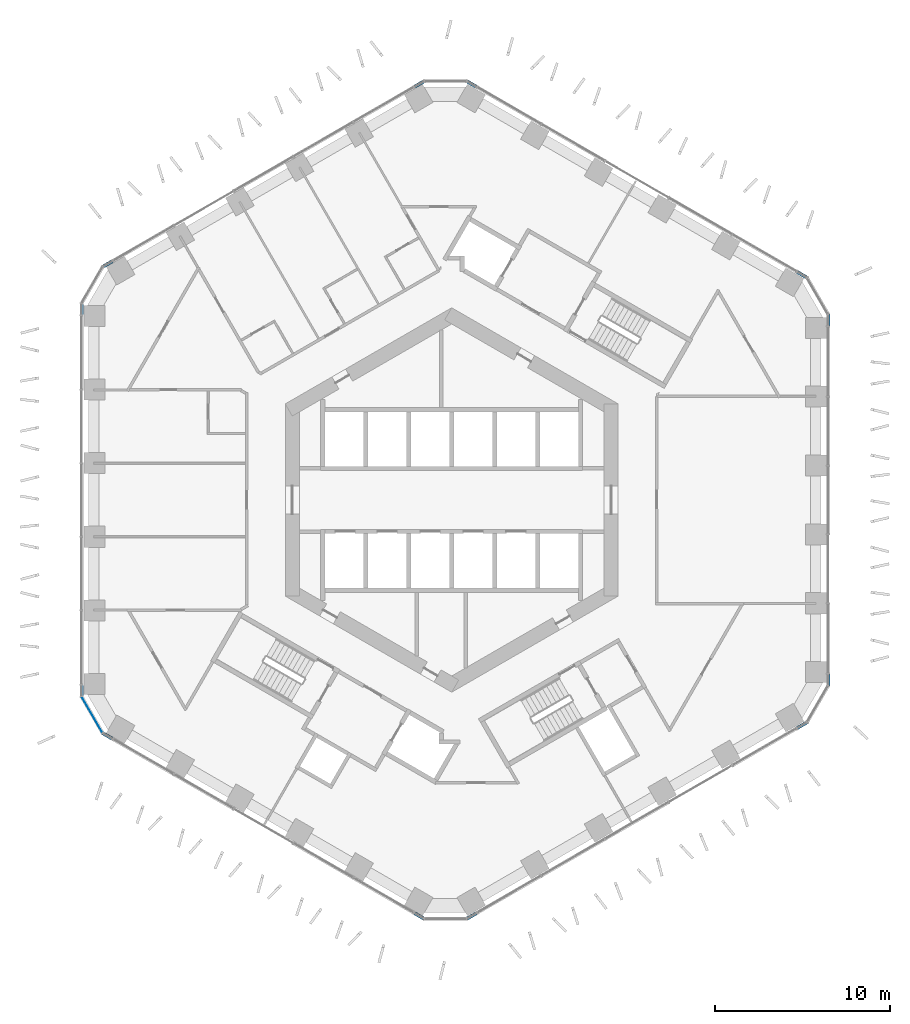
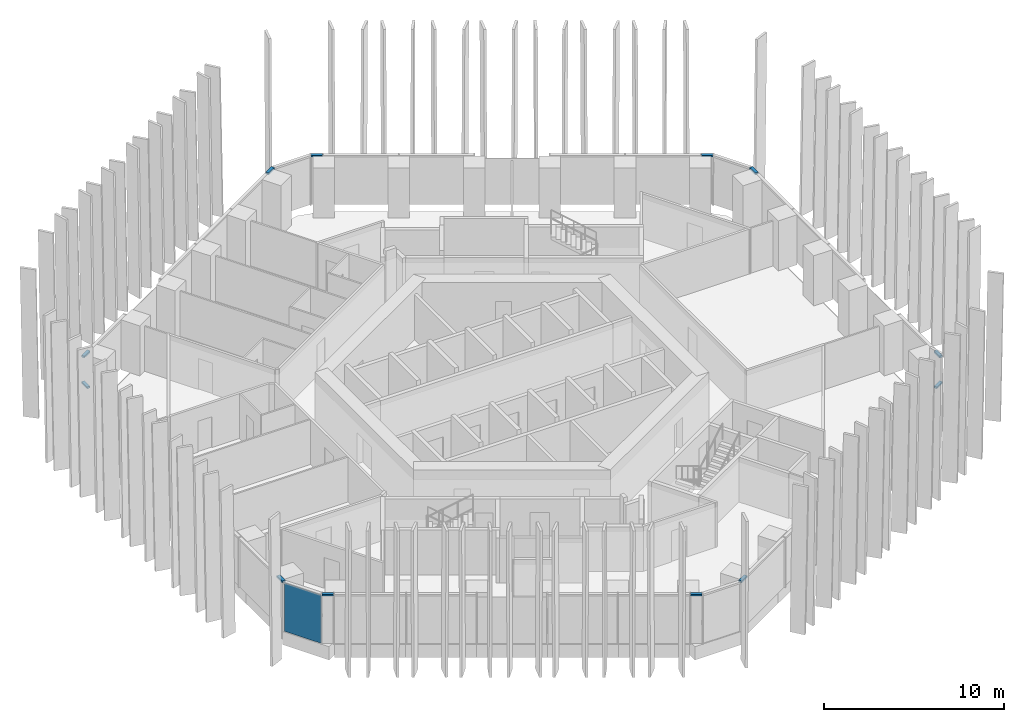
# One storey, part 8 of 19: 12 members, 1 plate, 6 elements without a shape of their own.
"""IFC4 building model written with IfcOpenShell, lengths in metres."""

from ifc_helpers import new_model, si_unit, direction, frame, origin, origin_2d, place, context, subcontext, project, spatial, rectangle, extrude, material, layer, layer_set, material_profile, profile_set, type_object, element, aggregate, save


model = new_model("IFC4")

# Units and contexts
model_context = context("Model", 3, precision=1e-05, world=origin(), true_north=direction((0.0, 1.0)))
body_context = subcontext(model_context, "Body", "Model", "MODEL_VIEW")
ifc_project = project(units=[si_unit("LENGTHUNIT", "METRE"), si_unit("AREAUNIT", "SQUARE_METRE"), si_unit("VOLUMEUNIT", "CUBIC_METRE"), si_unit("PLANEANGLEUNIT", "RADIAN"), si_unit("MASSUNIT", "GRAM", prefix="KILO")], contexts=[model_context])

# Site, building, storey
site_placement = place(None, origin())
site = spatial("IfcSite", under=ifc_project, at=site_placement, CompositionType="ELEMENT")
building_placement = place(site_placement, origin())
building = spatial("IfcBuilding", under=site, at=building_placement, Name="Ayvan Gate Tower", CompositionType="ELEMENT")
storey_placement = place(building_placement, frame((0.0, 0.0, 45.89990234375)))
storey = spatial("IfcBuildingStorey", under=building, at=storey_placement, Name="L11", CompositionType="ELEMENT", Elevation=45.89990234375)

# Curtain wall, members
ifc_material_1 = material(Name="Bronze anodised aluminium", Category="aluminium")
ifc_layer_1 = layer(ifc_material_1, 0.199951171875)
ifc_layer_set_1 = layer_set([ifc_layer_1], Name="Bronze anodised aluminium")
curtain_wall_type = type_object("IfcCurtainWallType", Name="Stick curtain wall CW-6", PredefinedType="NOTDEFINED", material=ifc_layer_set_1)
curtain_wall_1_placement = place(storey_placement, origin())
curtain_wall_1 = element("IfcCurtainWall", 1, at=curtain_wall_1_placement, inside=storey, type_object=curtain_wall_type, Name="Stick curtain wall CW-6 L11", PredefinedType="NOTDEFINED")
ifc_material_profile = material_profile(ifc_material_1, rectangle(XDim=0.199951171875, YDim=0.1201171875, at=origin_2d()), Name="Stick curtain wall CW-6 transom 200 x 120")
ifc_profile_set = profile_set([ifc_material_profile], Name="Bronze anodised aluminium")
member_type = type_object("IfcMemberType", Name="Stick curtain wall CW-6 transom 200 x 120", PredefinedType="USERDEFINED", material=ifc_profile_set)
member_1_placement = place(storey_placement, frame((-19.3583984375, 13.6318359375, 3.340087890625), z_axis=(-0.866022959057, -0.500004234368, 0.0), x_axis=(0.500004234368, -0.866022959057, 0.0)))
member_1 = element("IfcMember", 2, at=member_1_placement, type_object=member_type, Name="CW-6 transom 1", ObjectType="TRANSOM", PredefinedType="USERDEFINED", context=body_context, shape_type="SweptSolid", body=[
    extrude(rectangle(XDim=0.199951171875, YDim=0.1201171875, at=origin_2d()), origin(), (0.0, 0.0, 1.0), 0.625),
])
member_2_placement = place(storey_placement, frame((-21.12841796875, 11.190673828125, 3.340087890625), z_axis=(0.0, -1.0, 0.0), x_axis=(1.0, 0.0, 0.0)))
member_2 = element("IfcMember", 3, at=member_2_placement, type_object=member_type, Name="CW-6 transom 3", ObjectType="TRANSOM", PredefinedType="USERDEFINED", context=body_context, shape_type="SweptSolid", body=[
    extrude(rectangle(XDim=0.199951171875, YDim=0.1201171875, at=origin_2d()), origin(), (0.0, 0.0, 1.0), 0.625),
])
aggregate(curtain_wall_1, [member_1, member_2])

curtain_wall_2_placement = place(storey_placement, origin())
curtain_wall_2 = element("IfcCurtainWall", 4, at=curtain_wall_2_placement, inside=storey, type_object=curtain_wall_type, Name="Stick curtain wall CW-6 L11", PredefinedType="NOTDEFINED")
member_3_placement = place(storey_placement, frame((-21.12841796875, -10.565673828125, 3.340087890625), z_axis=(0.0, -1.0, 0.0), x_axis=(1.0, 0.0, 0.0)))
member_3 = element("IfcMember", 5, at=member_3_placement, type_object=member_type, Name="CW-6 transom 1", ObjectType="TRANSOM", PredefinedType="USERDEFINED", context=body_context, shape_type="SweptSolid", body=[
    extrude(rectangle(XDim=0.199951171875, YDim=0.1201171875, at=origin_2d()), origin(), (0.0, 0.0, 1.0), 0.625),
])
member_4_placement = place(storey_placement, frame((-19.899658203125, -13.3193359375, 3.340087890625), z_axis=(0.866022959057, -0.500004234368, 0.0), x_axis=(0.500004234368, 0.866022959057, 0.0)))
member_4 = element("IfcMember", 6, at=member_4_placement, type_object=member_type, Name="CW-6 transom 3", ObjectType="TRANSOM", PredefinedType="USERDEFINED", context=body_context, shape_type="SweptSolid", body=[
    extrude(rectangle(XDim=0.199951171875, YDim=0.1201171875, at=origin_2d()), origin(), (0.0, 0.0, 1.0), 0.625),
])

curtain_wall_3_placement = place(storey_placement, origin())
curtain_wall_3 = element("IfcCurtainWall", 7, at=curtain_wall_3_placement, inside=storey, type_object=curtain_wall_type, Name="Stick curtain wall CW-6 L11", PredefinedType="NOTDEFINED")
member_5_placement = place(storey_placement, frame((-2.126220703125, -23.58056640625, 3.340087890625), z_axis=(0.866022959057, -0.500004234368, 0.0), x_axis=(0.500004234368, 0.866022959057, 0.0)))
member_5 = element("IfcMember", 8, at=member_5_placement, type_object=member_type, Name="CW-6 transom 1", ObjectType="TRANSOM", PredefinedType="USERDEFINED", context=body_context, shape_type="SweptSolid", body=[
    extrude(rectangle(XDim=0.199951171875, YDim=0.1201171875, at=origin_2d()), origin(), (0.0, 0.0, 1.0), 0.625),
])
member_6_placement = place(storey_placement, frame((0.872802734375, -23.89306640625, 3.340087890625), z_axis=(0.866022959057, 0.500004234368, 0.0), x_axis=(-0.500004234368, 0.866022959057, 0.0)))
member_6 = element("IfcMember", 9, at=member_6_placement, type_object=member_type, Name="CW-6 transom 3", ObjectType="TRANSOM", PredefinedType="USERDEFINED", context=body_context, shape_type="SweptSolid", body=[
    extrude(rectangle(XDim=0.199951171875, YDim=0.1201171875, at=origin_2d()), origin(), (0.0, 0.0, 1.0), 0.625),
])
aggregate(curtain_wall_3, [member_5, member_6])

curtain_wall_4_placement = place(storey_placement, origin())
curtain_wall_4 = element("IfcCurtainWall", 10, at=curtain_wall_4_placement, inside=storey, type_object=curtain_wall_type, Name="Stick curtain wall CW-6 L11", PredefinedType="NOTDEFINED")
member_7_placement = place(storey_placement, frame((19.71435546875, -13.014892578125, 3.340087890625), z_axis=(0.866022959057, 0.500004234368, 0.0), x_axis=(-0.500004234368, 0.866022959057, 0.0)))
member_7 = element("IfcMember", 11, at=member_7_placement, type_object=member_type, Name="CW-6 transom 1", ObjectType="TRANSOM", PredefinedType="USERDEFINED", context=body_context, shape_type="SweptSolid", body=[
    extrude(rectangle(XDim=0.199951171875, YDim=0.1201171875, at=origin_2d()), origin(), (0.0, 0.0, 1.0), 0.625),
])
member_8_placement = place(storey_placement, frame((21.484619140625, -10.573974609375, 3.340087890625), z_axis=(0.0, 1.0, 0.0), x_axis=(-1.0, 0.0, 0.0)))
member_8 = element("IfcMember", 12, at=member_8_placement, type_object=member_type, Name="CW-6 transom 3", ObjectType="TRANSOM", PredefinedType="USERDEFINED", context=body_context, shape_type="SweptSolid", body=[
    extrude(rectangle(XDim=0.199951171875, YDim=0.1201171875, at=origin_2d()), origin(), (0.0, 0.0, 1.0), 0.625),
])
aggregate(curtain_wall_4, [member_7, member_8])

curtain_wall_5_placement = place(storey_placement, origin())
curtain_wall_5 = element("IfcCurtainWall", 13, at=curtain_wall_5_placement, inside=storey, type_object=curtain_wall_type, Name="Stick curtain wall CW-6 L11", PredefinedType="NOTDEFINED")
member_9_placement = place(storey_placement, frame((21.484619140625, 9.948974609375, 3.340087890625), z_axis=(0.0, 1.0, 0.0), x_axis=(-1.0, 0.0, 0.0)))
member_9 = element("IfcMember", 14, at=member_9_placement, type_object=member_type, Name="CW-6 transom 1", ObjectType="TRANSOM", PredefinedType="USERDEFINED", context=body_context, shape_type="SweptSolid", body=[
    extrude(rectangle(XDim=0.199951171875, YDim=0.1201171875, at=origin_2d()), origin(), (0.0, 0.0, 1.0), 0.625),
])
member_10_placement = place(storey_placement, frame((20.255615234375, 12.702392578125, 3.340087890625), z_axis=(-0.866022959057, 0.500004234368, 0.0), x_axis=(-0.500004234368, -0.866022959057, 0.0)))
member_10 = element("IfcMember", 15, at=member_10_placement, type_object=member_type, Name="CW-6 transom 3", ObjectType="TRANSOM", PredefinedType="USERDEFINED", context=body_context, shape_type="SweptSolid", body=[
    extrude(rectangle(XDim=0.199951171875, YDim=0.1201171875, at=origin_2d()), origin(), (0.0, 0.0, 1.0), 0.625),
])
aggregate(curtain_wall_5, [member_9, member_10])

curtain_wall_6_placement = place(storey_placement, origin())
curtain_wall_6 = element("IfcCurtainWall", 16, at=curtain_wall_6_placement, inside=storey, type_object=curtain_wall_type, Name="Stick curtain wall CW-6 L11", PredefinedType="NOTDEFINED")
member_11_placement = place(storey_placement, frame((1.4140625, 23.58056640625, 3.340087890625), z_axis=(-0.866022959057, 0.500004234368, 0.0), x_axis=(-0.500004234368, -0.866022959057, 0.0)))
member_11 = element("IfcMember", 17, at=member_11_placement, type_object=member_type, Name="CW-6 transom 1", ObjectType="TRANSOM", PredefinedType="USERDEFINED", context=body_context, shape_type="SweptSolid", body=[
    extrude(rectangle(XDim=0.199951171875, YDim=0.1201171875, at=origin_2d()), origin(), (0.0, 0.0, 1.0), 0.625),
])
member_12_placement = place(storey_placement, frame((-1.5849609375, 23.89306640625, 3.340087890625), z_axis=(-0.866022959057, -0.500004234368, 0.0), x_axis=(0.500004234368, -0.866022959057, 0.0)))
member_12 = element("IfcMember", 18, at=member_12_placement, type_object=member_type, Name="CW-6 transom 3", ObjectType="TRANSOM", PredefinedType="USERDEFINED", context=body_context, shape_type="SweptSolid", body=[
    extrude(rectangle(XDim=0.199951171875, YDim=0.1201171875, at=origin_2d()), origin(), (0.0, 0.0, 1.0), 0.625),
])
aggregate(curtain_wall_6, [member_11, member_12])

# Plate
ifc_material_2 = material(Name="Clear low-iron laminated glass", Category="glass")
ifc_layer_2 = layer(ifc_material_2, 0.028076171875)
ifc_layer_set_2 = layer_set([ifc_layer_2], Name="Clear low-iron laminated glass")
plate_type = type_object("IfcPlateType", Name="Stick curtain wall CW-6 glass panel", PredefinedType="CURTAIN_PANEL", material=ifc_layer_set_2)
plate_placement = place(storey_placement, frame((-20.52490234375, -12.26123046875, 0.0), z_axis=(0.0, 0.0, 1.0), x_axis=(0.5, -0.866025403784, 0.0)))
plate = element("IfcPlate", 19, at=plate_placement, type_object=plate_type, Name="CW-6 glass panel 2", PredefinedType="CURTAIN_PANEL", context=body_context, shape_type="SweptSolid", body=[
    extrude(rectangle(XDim=2.364501953125, YDim=0.028076171875, at=origin_2d()), origin(), (0.0, 0.0, 1.0), 3.280029296875),
])

aggregate(curtain_wall_2, [member_3, member_4, plate])

save(model, "model.ifc")
